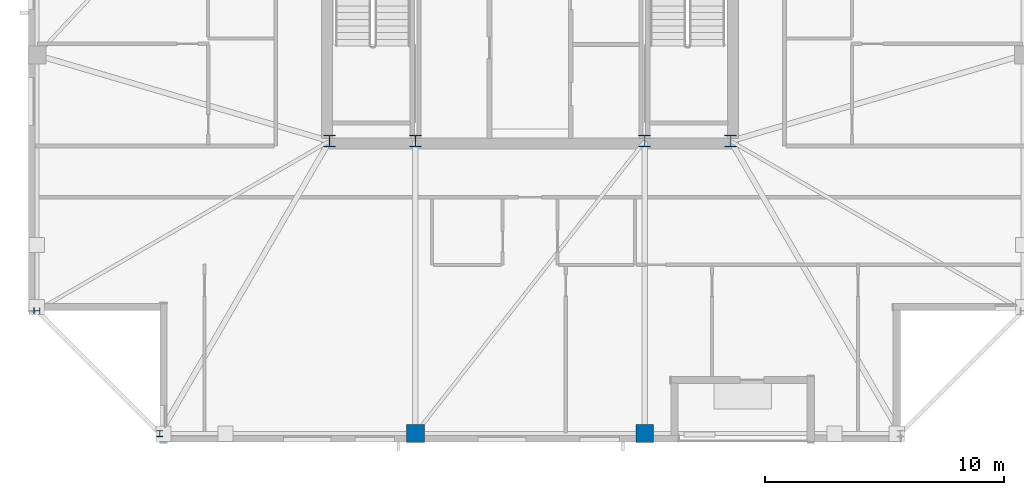
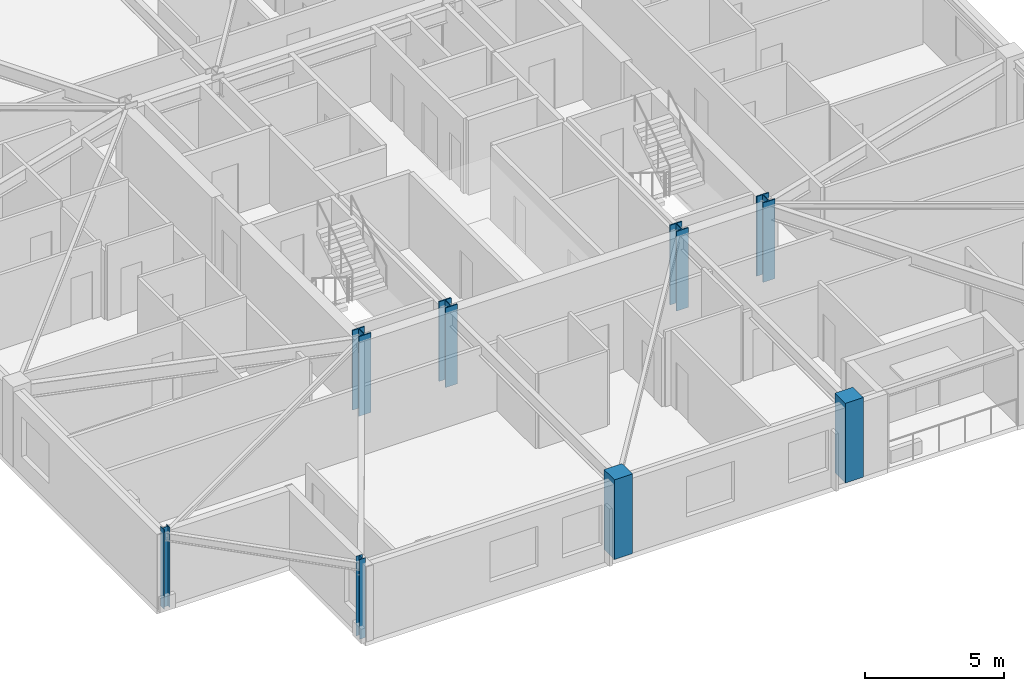
# One storey, part 1 of 15: 8 columns.
"""IFC4 building model written with IfcOpenShell, lengths in metres."""

from ifc_helpers import new_model, si_unit, direction, frame, origin, origin_2d, place, context, subcontext, project, spatial, rectangle, i_section, extrude, material, material_profile, profile_set, type_object, element, save


model = new_model("IFC4")

# Units and contexts
model_context = context("Model", 3, precision=1e-05, world=origin(), true_north=direction((0.0, 1.0)))
body_context = subcontext(model_context, "Body", "Model", "MODEL_VIEW")
ifc_project = project(units=[si_unit("LENGTHUNIT", "METRE"), si_unit("AREAUNIT", "SQUARE_METRE"), si_unit("VOLUMEUNIT", "CUBIC_METRE"), si_unit("PLANEANGLEUNIT", "RADIAN"), si_unit("MASSUNIT", "GRAM", prefix="KILO")], contexts=[model_context])

# Site, building, storey
site_placement = place(None, origin())
site = spatial("IfcSite", under=ifc_project, at=site_placement, CompositionType="ELEMENT")
building_placement = place(site_placement, origin())
building = spatial("IfcBuilding", under=site, at=building_placement, Name="Cairnveth Concourse Tower", CompositionType="ELEMENT")
storey_placement = place(building_placement, frame((0.0, 0.0, 284.0)))
storey = spatial("IfcBuildingStorey", under=building, at=storey_placement, Name="L78", CompositionType="ELEMENT", Elevation=284.0)

# Columns
ifc_material_1 = material(Name="Concrete N50 (50 MPa)", Category="concrete")
ifc_material_profile_1 = material_profile(ifc_material_1, rectangle(XDim=0.75, YDim=0.75, at=origin_2d()), Name="RC-COL-750x750")
ifc_profile_set_1 = profile_set([ifc_material_profile_1], Name="Concrete N50 (50 MPa)")
column_type_1 = type_object("IfcColumnType", Name="PERIMETER PIER COLUMN 750X750", PredefinedType="COLUMN", material=ifc_profile_set_1)
for number, where, z_axis, x_axis, name in (
    (1, (47.199951171875, 18.35009765625, 0.0), (0.0, 0.0, 1.0), (1.0, 0.0, 0.0), "Column P-S2 L78"),
    (2, (56.800048828125, 18.35009765625, 0.0), (0.0, 0.0, 1.0), (1.0, 0.0, 0.0), "Column P-S3 L78"),
):
    element("IfcColumn", number, at=place(storey_placement, frame(where, z_axis=z_axis, x_axis=x_axis)), inside=storey, type_object=column_type_1, Name=name, PredefinedType="COLUMN", context=body_context, shape_type="SweptSolid", body=[
        extrude(rectangle(XDim=0.75, YDim=0.75, at=origin_2d()), origin(), (0.0, 0.0, 1.0), 3.5),
    ])
ifc_material_2 = material(Name="Steel Grade 350", Category="steel")
ifc_material_profile_2 = material_profile(ifc_material_2, i_section(OverallWidth=0.25390625, OverallDepth=0.25390625, WebThickness=0.008544921875, FlangeThickness=0.01416015625, FilletRadius=0.012939453125, at=origin_2d()), Name="250UC72.9")
ifc_profile_set_2 = profile_set([ifc_material_profile_2], Name="Steel Grade 350")
column_type_2 = type_object("IfcColumnType", Name="UNIVERSAL STEEL COLUMN 250UC72.9", PredefinedType="COLUMN", material=ifc_profile_set_2)
for number, where, z_axis, x_axis, name in (
    (3, (36.5, 18.35009765625, 0.0), (0.0, 0.0, 1.0), (1.0, 0.0, 0.0), "Column P-S1 L78"),
    (4, (31.35009765625, 23.5, 0.0), (0.0, 0.0, 1.0), (0.0, 1.0, 0.0), "Column P-W4 L78"),
):
    element("IfcColumn", number, at=place(storey_placement, frame(where, z_axis=z_axis, x_axis=x_axis)), inside=storey, type_object=column_type_2, Name=name, PredefinedType="COLUMN", context=body_context, shape_type="SweptSolid", body=[
        extrude(i_section(OverallWidth=0.25390625, OverallDepth=0.25390625, WebThickness=0.008544921875, FlangeThickness=0.01416015625, FilletRadius=0.012939453125, at=origin_2d()), origin(), (0.0, 0.0, 1.0), 3.5),
    ])
ifc_material_profile_3 = material_profile(ifc_material_2, i_section(OverallWidth=0.5, OverallDepth=0.5, WebThickness=0.028076171875, FlangeThickness=0.044921875, at=origin_2d()), Name="500WC383")
ifc_profile_set_3 = profile_set([ifc_material_profile_3], Name="Steel Grade 350")
column_type_3 = type_object("IfcColumnType", Name="WELDED STEEL COLUMN 500WC383", PredefinedType="COLUMN", material=ifc_profile_set_3)
for number, where, z_axis, x_axis, name in (
    (5, (43.60009765625, 30.60009765625, 0.0), (0.0, 0.0, 1.0), (1.0, 0.0, 0.0), "Column CC1 L78"),
    (6, (47.199951171875, 30.60009765625, 0.0), (0.0, 0.0, 1.0), (1.0, 0.0, 0.0), "Column CC2 L78"),
    (7, (56.800048828125, 30.60009765625, 0.0), (0.0, 0.0, 1.0), (1.0, 0.0, 0.0), "Column CC3 L78"),
    (8, (60.39990234375, 30.60009765625, 0.0), (0.0, 0.0, 1.0), (1.0, 0.0, 0.0), "Column CC4 L78"),
):
    element("IfcColumn", number, at=place(storey_placement, frame(where, z_axis=z_axis, x_axis=x_axis)), inside=storey, type_object=column_type_3, Name=name, PredefinedType="COLUMN", context=body_context, shape_type="SweptSolid", body=[
        extrude(i_section(OverallWidth=0.5, OverallDepth=0.5, WebThickness=0.028076171875, FlangeThickness=0.044921875, at=origin_2d()), origin(), (0.0, 0.0, 1.0), 3.5),
    ])

save(model, "model.ifc")
